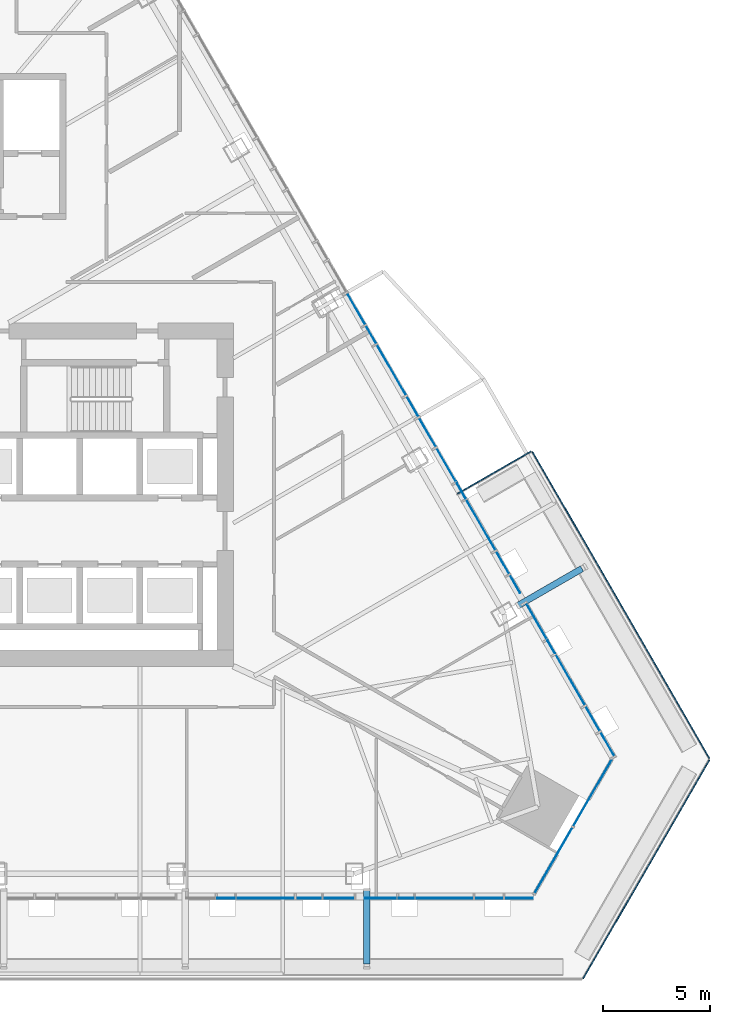
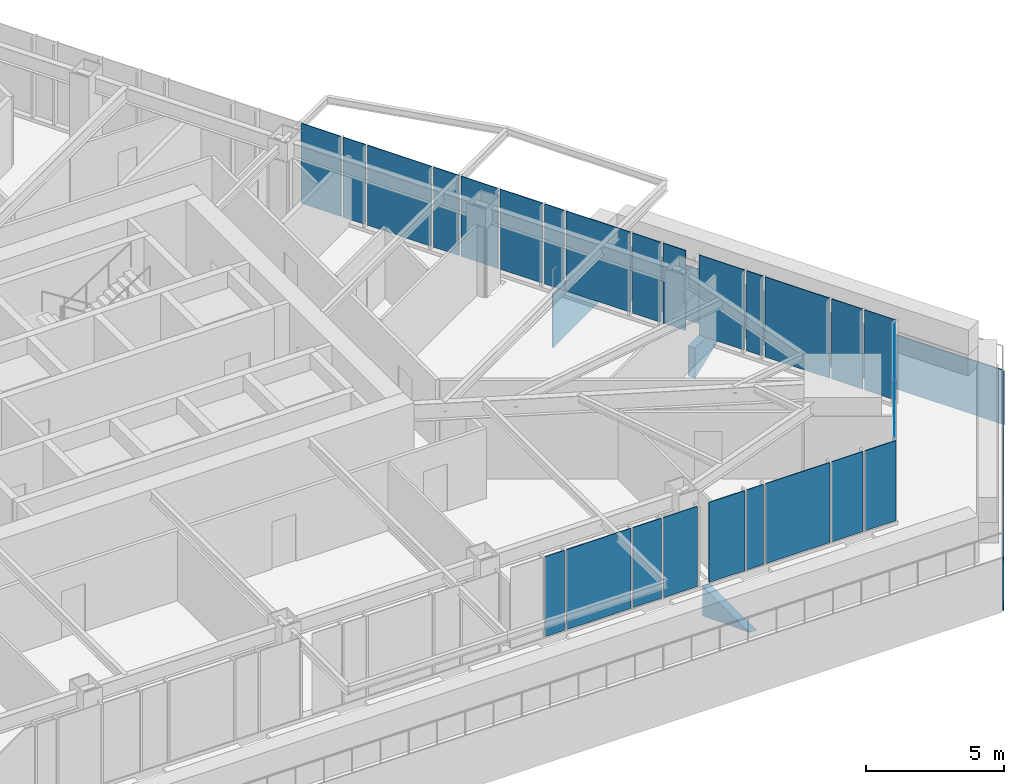
# One storey, part 12 of 21: 31 plates, 3 elements without a shape of their own.
"""IFC4 building model written with IfcOpenShell, lengths in metres."""

from ifc_helpers import new_model, si_unit, direction, frame, origin, place, context, subcontext, project, spatial, polyline, outline, extrude, material, layer, layer_set, type_object, element, aggregate, save


model = new_model("IFC4")

# Units and contexts
model_context = context("Model", 3, precision=1e-05, world=origin(), true_north=direction((0.0, 1.0)))
body_context = subcontext(model_context, "Body", "Model", "MODEL_VIEW")
ifc_project = project(units=[si_unit("LENGTHUNIT", "METRE"), si_unit("AREAUNIT", "SQUARE_METRE"), si_unit("VOLUMEUNIT", "CUBIC_METRE"), si_unit("PLANEANGLEUNIT", "RADIAN"), si_unit("MASSUNIT", "GRAM", prefix="KILO")], contexts=[model_context])

# Site, building, storey
site_placement = place(None, origin())
site = spatial("IfcSite", under=ifc_project, at=site_placement, CompositionType="ELEMENT")
building_placement = place(site_placement, origin())
building = spatial("IfcBuilding", under=site, at=building_placement, Name="Firuza Gate Tower and Library", CompositionType="ELEMENT")
storey_placement = place(building_placement, frame((0.0, 0.0, 222.10009765625)))
storey = spatial("IfcBuildingStorey", under=building, at=storey_placement, Name="L52", CompositionType="ELEMENT", Elevation=222.10009765625)

# Curtain wall, plates
ifc_material_1 = material(Name="Aluminium 6063-T6", Category="aluminium")
ifc_layer_1 = layer(ifc_material_1, 0.14990234375)
ifc_layer_set_1 = layer_set([ifc_layer_1], Name="Corner curtain wall, chamfers")
curtain_wall_type_1 = type_object("IfcCurtainWallType", Name="Corner curtain wall, chamfers", PredefinedType="NOTDEFINED", material=ifc_layer_set_1)
placement = place(storey_placement, origin())
curtain_wall_1 = element("IfcCurtainWall", 1, at=placement, inside=storey, type_object=curtain_wall_type_1, Name="CW4 L52 SE corner", PredefinedType="NOTDEFINED")
ifc_material_2 = material(Name="Fritted glass", Category="glass")
ifc_layer_2 = layer(ifc_material_2, 0.030029296875)
ifc_layer_set_2 = layer_set([ifc_layer_2], Name="Fritted glass unit, corners")
plate_type_1 = type_object("IfcPlateType", Name="Fritted glass unit, corners", PredefinedType="CURTAIN_PANEL", material=ifc_layer_set_2)
plate_1_placement = place(storey_placement, frame((100.029052734375, 56.388671875, 0.14990234375), z_axis=(0.866016723041, -0.500015035186, 0.0), x_axis=(0.500015035186, 0.866016723041, 0.0)))
plate_1 = element("IfcPlate", 2, at=plate_1_placement, type_object=plate_type_1, Name="Glass unit", PredefinedType="CURTAIN_PANEL", context=body_context, shape_type="SweptSolid", body=[
    extrude(outline(polyline([(0.0, 0.0), (3.5633694106530625, 0.0), (3.5633694106530625, 3.550048828125), (0.0, 3.550048828125), (0.0, 0.0)])), origin(), (0.0, 0.0, -1.0), 0.030029296875),
])
plate_2_placement = place(storey_placement, frame((101.850830078125, 59.5439453125, 0.14990234375), z_axis=(0.866046390552, -0.49996364809, 0.0), x_axis=(0.49996364809, 0.866046390552, 0.0)))
plate_2 = element("IfcPlate", 3, at=plate_2_placement, type_object=plate_type_1, Name="Glass unit", PredefinedType="CURTAIN_PANEL", context=body_context, shape_type="SweptSolid", body=[
    extrude(outline(polyline([(0.0, 0.0), (3.563247342942594, 0.0), (3.563247342942594, 3.550048828125), (0.0, 3.550048828125), (0.0, 0.0)])), origin(), (0.0, 0.0, -1.0), 0.030029296875),
])
aggregate(curtain_wall_1, [plate_1, plate_2])

ifc_material_3 = material(Name="Aluminium 6063-T6", Category="aluminium")
ifc_layer_3 = layer(ifc_material_3, 0.14990234375)
ifc_layer_set_3 = layer_set([ifc_layer_3], Name="Unitised curtain wall, hotel")
curtain_wall_type_2 = type_object("IfcCurtainWallType", Name="Unitised curtain wall, hotel", PredefinedType="NOTDEFINED", material=ifc_layer_set_3)
curtain_wall_2 = element("IfcCurtainWall", 4, at=placement, inside=storey, type_object=curtain_wall_type_2, Name="CW2 L52 S face", PredefinedType="NOTDEFINED")
ifc_material_4 = material(Name="Fritted glass", Category="glass")
ifc_layer_4 = layer(ifc_material_4, 0.030029296875)
ifc_layer_set_4 = layer_set([ifc_layer_4], Name="Fritted glass unit, hotel")
plate_type_2 = type_object("IfcPlateType", Name="Fritted glass unit, hotel", PredefinedType="CURTAIN_PANEL", material=ifc_layer_set_4)
plate_3_placement = place(storey_placement, frame((90.19921875, 56.176513671875, 0.14990234375), z_axis=(0.0, -1.0, 0.0), x_axis=(1.0, 0.0, 0.0)))
plate_3 = element("IfcPlate", 5, at=plate_3_placement, type_object=plate_type_2, Name="Glass unit", PredefinedType="CURTAIN_PANEL", context=body_context, shape_type="SweptSolid", body=[
    extrude(outline(polyline([(0.0, 0.0), (1.4248046875, 0.0), (1.4248046875, 3.550048828125), (0.0, 3.550048828125), (0.0, 0.0)])), origin(), (0.0, 0.0, -1.0), 0.030029296875),
])
plate_4_placement = place(storey_placement, frame((92.122314453125, 56.176513671875, 0.14990234375), z_axis=(0.0, -1.0, 0.0), x_axis=(1.0, 0.0, 0.0)))
plate_4 = element("IfcPlate", 6, at=plate_4_placement, type_object=plate_type_2, Name="Glass unit", PredefinedType="CURTAIN_PANEL", context=body_context, shape_type="SweptSolid", body=[
    extrude(outline(polyline([(0.0, 0.0), (1.501220703125, 0.0), (1.501220703125, 3.550048828125), (0.0, 3.550048828125), (0.0, 0.0)])), origin(), (0.0, 0.0, -1.0), 0.030029296875),
])
plate_5_placement = place(storey_placement, frame((98.65478515625, 56.176513671875, 0.14990234375), z_axis=(0.0, -1.0, 0.0), x_axis=(1.0, 0.0, 0.0)))
plate_5 = element("IfcPlate", 7, at=plate_5_placement, type_object=plate_type_2, Name="Glass unit", PredefinedType="CURTAIN_PANEL", context=body_context, shape_type="SweptSolid", body=[
    extrude(outline(polyline([(0.0, 0.0), (1.30126953125, 0.0), (1.30126953125, 3.550048828125), (0.0, 3.550048828125), (0.0, 0.0)])), origin(), (0.0, 0.0, -1.0), 0.030029296875),
])

curtain_wall_3 = element("IfcCurtainWall", 8, at=placement, inside=storey, type_object=curtain_wall_type_2, Name="CW2 L52 E face", PredefinedType="NOTDEFINED")
plate_6_placement = place(storey_placement, frame((103.779541015625, 62.799072265625, 0.14990234375), z_axis=(0.866029371706, 0.499993127296, 0.0), x_axis=(-0.499993127296, 0.866029371706, 0.0)))
plate_6 = element("IfcPlate", 9, at=plate_6_placement, type_object=plate_type_2, Name="Glass unit", PredefinedType="CURTAIN_PANEL", context=body_context, shape_type="SweptSolid", body=[
    extrude(outline(polyline([(0.0, 0.0), (1.3012874179777365, 0.0), (1.3012874179777365, 3.550048828125), (0.0, 3.550048828125), (0.0, 0.0)])), origin(), (0.0, 0.0, -1.0), 0.030029296875),
])
plate_7_placement = place(storey_placement, frame((100.61328125, 68.283447265625, 0.14990234375), z_axis=(0.86600340545, 0.500038100297, 0.0), x_axis=(-0.500038100297, 0.86600340545, 0.0)))
plate_7 = element("IfcPlate", 10, at=plate_7_placement, type_object=plate_type_2, Name="Glass unit", PredefinedType="CURTAIN_PANEL", context=body_context, shape_type="SweptSolid", body=[
    extrude(outline(polyline([(0.0, 0.0), (1.9192873429132231, 0.0), (1.9192873429132231, 3.550048828125), (0.0, 3.550048828125), (0.0, 0.0)])), origin(), (0.0, 0.0, -1.0), 0.030029296875),
])
plate_8_placement = place(storey_placement, frame((99.375732421875, 70.427001953125, 0.14990234375), z_axis=(0.865954211699, 0.50012328804, 0.0), x_axis=(-0.50012328804, 0.865954211699, 0.0)))
plate_8 = element("IfcPlate", 11, at=plate_8_placement, type_object=plate_type_2, Name="Glass unit", PredefinedType="CURTAIN_PANEL", context=body_context, shape_type="SweptSolid", body=[
    extrude(outline(polyline([(0.0, 0.0), (0.9489847530591291, 0.0), (0.9489847530591291, 3.550048828125), (0.0, 3.550048828125), (0.0, 0.0)])), origin(), (0.0, 0.0, -1.0), 0.030029296875),
])
plate_9_placement = place(storey_placement, frame((96.385498046875, 75.606201171875, 0.14990234375), z_axis=(0.866008991624, 0.500028425619, 0.0), x_axis=(-0.500028425619, 0.866008991624, 0.0)))
plate_9 = element("IfcPlate", 12, at=plate_9_placement, type_object=plate_type_2, Name="Glass unit", PredefinedType="CURTAIN_PANEL", context=body_context, shape_type="SweptSolid", body=[
    extrude(outline(polyline([(0.0, 0.0), (1.795796344255184, 0.0), (1.795796344255184, 3.550048828125), (0.0, 3.550048828125), (0.0, 0.0)])), origin(), (0.0, 0.0, -1.0), 0.030029296875),
])
plate_10_placement = place(storey_placement, frame((95.447509765625, 77.230712890625, 0.14990234375), z_axis=(0.866012271747, 0.500022744667, 0.0), x_axis=(-0.500022744667, 0.866012271747, 0.0)))
plate_10 = element("IfcPlate", 13, at=plate_10_placement, type_object=plate_type_2, Name="Glass unit", PredefinedType="CURTAIN_PANEL", context=body_context, shape_type="SweptSolid", body=[
    extrude(outline(polyline([(0.0, 0.0), (1.548269414006665, 0.0), (1.548269414006665, 3.550048828125), (0.0, 3.550048828125), (0.0, 0.0)])), origin(), (0.0, 0.0, -1.0), 0.030029296875),
])
plate_11_placement = place(storey_placement, frame((92.15771484375, 82.928955078125, 0.14990234375), z_axis=(0.865978895617, 0.500080545859, 0.0), x_axis=(-0.500080545859, 0.865978895617, 0.0)))
plate_11 = element("IfcPlate", 14, at=plate_11_placement, type_object=plate_type_2, Name="Glass unit", PredefinedType="CURTAIN_PANEL", context=body_context, shape_type="SweptSolid", body=[
    extrude(outline(polyline([(0.0, 0.0), (1.6720939207688459, 0.0), (1.6720939207688459, 3.550048828125), (0.0, 3.550048828125), (0.0, 0.0)])), origin(), (0.0, 0.0, -1.0), 0.030029296875),
])

# Plate
ifc_material_5 = material(Name="Glazed ceramic tile")
ifc_layer_5 = layer(ifc_material_5, 0.030029296875)
ifc_layer_set_5 = layer_set([ifc_layer_5], Name="Opaque ceramic panel, hotel")
plate_type_3 = type_object("IfcPlateType", Name="Opaque ceramic panel, hotel", PredefinedType="CURTAIN_PANEL", material=ifc_layer_set_5)
plate_12_placement = place(storey_placement, frame((85.247802734375, 56.176513671875, 0.14990234375), z_axis=(0.0, -1.0, 0.0), x_axis=(1.0, 0.0, 0.0)))
plate_12 = element("IfcPlate", 15, at=plate_12_placement, type_object=plate_type_3, Name="Opaque ceramic panel", PredefinedType="CURTAIN_PANEL", context=body_context, shape_type="SweptSolid", body=[
    extrude(outline(polyline([(0.0, 0.0), (0.821533203125, 0.0), (0.821533203125, 3.550048828125), (0.0, 3.550048828125), (0.0, 0.0)])), origin(), (0.0, 0.0, -1.0), 0.030029296875),
])

plate_13_placement = place(storey_placement, frame((86.1494140625, 56.176513671875, 0.14990234375), z_axis=(0.0, -1.0, 0.0), x_axis=(1.0, 0.0, 0.0)))
plate_13 = element("IfcPlate", 16, at=plate_13_placement, type_object=plate_type_3, Name="Opaque ceramic panel", PredefinedType="CURTAIN_PANEL", context=body_context, shape_type="SweptSolid", body=[
    extrude(outline(polyline([(0.0, 0.0), (2.697265625, 0.0), (2.697265625, 3.550048828125), (0.0, 3.550048828125), (0.0, 0.0)])), origin(), (0.0, 0.0, -1.0), 0.030029296875),
])

plate_14_placement = place(storey_placement, frame((88.9267578125, 56.176513671875, 0.14990234375), z_axis=(0.0, -1.0, 0.0), x_axis=(1.0, 0.0, 0.0)))
plate_14 = element("IfcPlate", 17, at=plate_14_placement, type_object=plate_type_3, Name="Opaque ceramic panel", PredefinedType="CURTAIN_PANEL", context=body_context, shape_type="SweptSolid", body=[
    extrude(outline(polyline([(0.0, 0.0), (1.1923828125, 0.0), (1.1923828125, 3.550048828125), (0.0, 3.550048828125), (0.0, 0.0)])), origin(), (0.0, 0.0, -1.0), 0.030029296875),
])

plate_15_placement = place(storey_placement, frame((93.703369140625, 56.176513671875, 0.14990234375), z_axis=(0.0, -1.0, 0.0), x_axis=(1.0, 0.0, 0.0)))
plate_15 = element("IfcPlate", 18, at=plate_15_placement, type_object=plate_type_3, Name="Opaque ceramic panel", PredefinedType="CURTAIN_PANEL", context=body_context, shape_type="SweptSolid", body=[
    extrude(outline(polyline([(0.0, 0.0), (0.697998046875, 0.0), (0.697998046875, 3.550048828125), (0.0, 3.550048828125), (0.0, 0.0)])), origin(), (0.0, 0.0, -1.0), 0.030029296875),
])

plate_16_placement = place(storey_placement, frame((94.4814453125, 56.176513671875, 0.14990234375), z_axis=(0.0, -1.0, 0.0), x_axis=(1.0, 0.0, 0.0)))
plate_16 = element("IfcPlate", 19, at=plate_16_placement, type_object=plate_type_3, Name="Opaque ceramic panel", PredefinedType="CURTAIN_PANEL", context=body_context, shape_type="SweptSolid", body=[
    extrude(outline(polyline([(0.0, 0.0), (2.697265625, 0.0), (2.697265625, 3.550048828125), (0.0, 3.550048828125), (0.0, 0.0)])), origin(), (0.0, 0.0, -1.0), 0.030029296875),
])

plate_17_placement = place(storey_placement, frame((97.2587890625, 56.176513671875, 0.14990234375), z_axis=(0.0, -1.0, 0.0), x_axis=(1.0, 0.0, 0.0)))
plate_17 = element("IfcPlate", 20, at=plate_17_placement, type_object=plate_type_3, Name="Opaque ceramic panel", PredefinedType="CURTAIN_PANEL", context=body_context, shape_type="SweptSolid", body=[
    extrude(outline(polyline([(0.0, 0.0), (1.316162109375, 0.0), (1.316162109375, 3.550048828125), (0.0, 3.550048828125), (0.0, 0.0)])), origin(), (0.0, 0.0, -1.0), 0.030029296875),
])

aggregate(curtain_wall_2, [plate_12, plate_13, plate_14, plate_3, plate_4, plate_15, plate_16, plate_17, plate_5])

plate_18_placement = place(storey_placement, frame((103.089111328125, 63.995361328125, 0.14990234375), z_axis=(0.865950774653, 0.500129239174, 0.0), x_axis=(-0.500129239174, 0.865950774653, 0.0)))
plate_18 = element("IfcPlate", 21, at=plate_18_placement, type_object=plate_type_3, Name="Opaque ceramic panel", PredefinedType="CURTAIN_PANEL", context=body_context, shape_type="SweptSolid", body=[
    extrude(outline(polyline([(0.0, 0.0), (1.3160660754141325, 0.0), (1.3160660754141325, 3.550048828125), (0.0, 3.550048828125), (0.0, 0.0)])), origin(), (0.0, 0.0, -1.0), 0.030029296875),
])

plate_19_placement = place(storey_placement, frame((102.390869140625, 65.204345703125, 0.14990234375), z_axis=(0.866028828302, 0.499994068514, 0.0), x_axis=(-0.499994068514, 0.866028828302, 0.0)))
plate_19 = element("IfcPlate", 22, at=plate_19_placement, type_object=plate_type_3, Name="Opaque ceramic panel", PredefinedType="CURTAIN_PANEL", context=body_context, shape_type="SweptSolid", body=[
    extrude(outline(polyline([(0.0, 0.0), (2.6972976229659773, 0.0), (2.6972976229659773, 3.550048828125001), (0.0, 3.550048828125001), (0.0, 0.0)])), origin(), (0.0, 0.0, -1.0), 0.030029296875),
])

plate_20_placement = place(storey_placement, frame((101.002197265625, 67.609619140625, 0.14990234375), z_axis=(0.86610404518, 0.499863764363, 0.0), x_axis=(-0.499863764363, 0.86610404518, 0.0)))
plate_20 = element("IfcPlate", 23, at=plate_20_placement, type_object=plate_type_3, Name="Opaque ceramic panel", PredefinedType="CURTAIN_PANEL", context=body_context, shape_type="SweptSolid", body=[
    extrude(outline(polyline([(0.0, 0.0), (0.6979440759619058, 0.0), (0.6979440759619058, 3.550048828125), (0.0, 3.550048828125), (0.0, 0.0)])), origin(), (0.0, 0.0, -1.0), 0.030029296875),
])

plate_21_placement = place(storey_placement, frame((98.861083984375, 71.318115234375, 0.14990234375), z_axis=(0.866042392862, 0.4999705729, 0.0), x_axis=(-0.4999705729, 0.866042392862, 0.0)))
plate_21 = element("IfcPlate", 24, at=plate_21_placement, type_object=plate_type_3, Name="Opaque ceramic panel", PredefinedType="CURTAIN_PANEL", context=body_context, shape_type="SweptSolid", body=[
    extrude(outline(polyline([(0.0, 0.0), (1.1924529933661703, 0.0), (1.1924529933661703, 3.550048828125001), (0.0, 3.550048828125001), (0.0, 0.0)])), origin(), (0.0, 0.0, -1.0), 0.030029296875),
])

plate_22_placement = place(storey_placement, frame((98.224853515625, 72.420166015625, 0.14990234375), z_axis=(0.866028828302, 0.499994068514, 0.0), x_axis=(-0.499994068514, 0.866028828302, 0.0)))
plate_22 = element("IfcPlate", 25, at=plate_22_placement, type_object=plate_type_3, Name="Opaque ceramic panel", PredefinedType="CURTAIN_PANEL", context=body_context, shape_type="SweptSolid", body=[
    extrude(outline(polyline([(0.0, 0.0), (2.6972976229659773, 0.0), (2.6972976229659773, 3.550048828125001), (0.0, 3.550048828125001), (0.0, 0.0)])), origin(), (0.0, 0.0, -1.0), 0.030029296875),
])

plate_23_placement = place(storey_placement, frame((96.836181640625, 74.825439453125, 0.14990234375), z_axis=(0.866076708598, 0.499911126926, 0.0), x_axis=(-0.499911126926, 0.866076708598, 0.0)))
plate_23 = element("IfcPlate", 26, at=plate_23_placement, type_object=plate_type_3, Name="Opaque ceramic panel", PredefinedType="CURTAIN_PANEL", context=body_context, shape_type="SweptSolid", body=[
    extrude(outline(polyline([(0.0, 0.0), (0.821435069419796, 0.0), (0.821435069419796, 3.550048828125), (0.0, 3.550048828125), (0.0, 0.0)])), origin(), (0.0, 0.0, -1.0), 0.030029296875),
])

plate_24_placement = place(storey_placement, frame((94.63330078125, 78.640869140625, 0.14990234375), z_axis=(0.866056279496, 0.499946517884, 0.0), x_axis=(-0.499946517884, 0.866056279496, 0.0)))
plate_24 = element("IfcPlate", 27, at=plate_24_placement, type_object=plate_type_3, Name="Opaque ceramic panel", PredefinedType="CURTAIN_PANEL", context=body_context, shape_type="SweptSolid", body=[
    extrude(outline(polyline([(0.0, 0.0), (1.0689619969481339, 0.0), (1.0689619969481339, 3.550048828125), (0.0, 3.550048828125), (0.0, 0.0)])), origin(), (0.0, 0.0, -1.0), 0.030029296875),
])

plate_25_placement = place(storey_placement, frame((94.058837890625, 79.6357421875, 0.14990234375), z_axis=(0.866051453367, 0.499954878085, 0.0), x_axis=(-0.499954878085, 0.866051453367, 0.0)))
plate_25 = element("IfcPlate", 28, at=plate_25_placement, type_object=plate_type_3, Name="Opaque ceramic panel", PredefinedType="CURTAIN_PANEL", context=body_context, shape_type="SweptSolid", body=[
    extrude(outline(polyline([(0.0, 0.0), (2.697509058547344, 0.0), (2.697509058547344, 3.550048828125001), (0.0, 3.550048828125001), (0.0, 0.0)])), origin(), (0.0, 0.0, -1.0), 0.030029296875),
])

plate_26_placement = place(storey_placement, frame((92.670166015625, 82.041015625, 0.14990234375), z_axis=(0.866009237431, 0.5000279999, 0.0), x_axis=(-0.5000279999, 0.866009237431, 0.0)))
plate_26 = element("IfcPlate", 29, at=plate_26_placement, type_object=plate_type_3, Name="Opaque ceramic panel", PredefinedType="CURTAIN_PANEL", context=body_context, shape_type="SweptSolid", body=[
    extrude(outline(polyline([(0.0, 0.0), (0.9452595656525632, 0.0), (0.9452595656525632, 3.550048828125), (0.0, 3.550048828125), (0.0, 0.0)])), origin(), (0.0, 0.0, -1.0), 0.030029296875),
])

aggregate(curtain_wall_3, [plate_6, plate_18, plate_19, plate_20, plate_7, plate_8, plate_21, plate_22, plate_23, plate_9, plate_10, plate_24, plate_25, plate_26, plate_11])

# Plates
ifc_material_6 = material(Name="Steel S355", Category="steel")
ifc_layer_6 = layer(ifc_material_6, 0.300048828125)
ifc_layer_set_6 = layer_set([ifc_layer_6], Name="Tray bracket web 300 Steel S355")
plate_type_4 = type_object("IfcPlateType", Name="Tray bracket web 300 Steel S355", PredefinedType="SHEET", material=ifc_layer_set_6)
plate_27_placement = place(storey_placement, frame((92.361083984375, 56.56201171875, -0.2001953125), z_axis=(1.0, 0.0, 0.0), x_axis=(0.0, -1.0, 0.0)))
element("IfcPlate", 30, at=plate_27_placement, inside=storey, type_object=plate_type_4, Name="Tray bracket web L52 col:L51:S5", PredefinedType="SHEET", context=body_context, shape_type="SweptSolid", body=[
    extrude(outline(polyline([(0.0, 0.0), (3.428955078125, 0.0), (0.0, 1.333984375), (0.0, 0.0)])), origin(), (0.0, 0.0, -1.0), 0.300048828125),
])
plate_28_placement = place(storey_placement, frame((99.197998046875, 69.962890625, -0.2001953125), z_axis=(-0.500081895979, 0.865978115955, 0.0), x_axis=(0.865978115955, 0.500081895979, 0.0)))
element("IfcPlate", 31, at=plate_28_placement, inside=storey, type_object=plate_type_4, Name="Tray bracket web L52 col:L51:E1", PredefinedType="SHEET", context=body_context, shape_type="SweptSolid", body=[
    extrude(outline(polyline([(0.0, 0.0), (3.429614038049955, 0.0), (0.0, 1.333984375), (0.0, 0.0)])), origin(), (0.0, 0.0, -1.0), 0.300048828125),
])
ifc_material_7 = material(Name="Aluminium 6063-T6", Category="aluminium")
ifc_layer_7 = layer(ifc_material_7, 0.050048828125)
ifc_layer_set_7 = layer_set([ifc_layer_7], Name="Tray fascia panel 50")
plate_type_5 = type_object("IfcPlateType", Name="Tray fascia panel 50", PredefinedType="SHEET", material=ifc_layer_set_7)
plate_29_placement = place(storey_placement, frame((102.320068359375, 52.43798828125, -2.400146484375), z_axis=(0.866000946426, -0.500042358996, 0.0), x_axis=(0.500042358996, 0.866000946426, 0.0)))
element("IfcPlate", 32, at=plate_29_placement, inside=storey, type_object=plate_type_5, Name="Tray fascia L52 3", PredefinedType="SHEET", context=body_context, shape_type="SweptSolid", body=[
    extrude(outline(polyline([(0.0, 0.0), (11.758769445669861, 0.0), (11.758769445669861, 2.400146484375), (0.0, 2.400146484375), (0.0, 0.0)])), origin(), (0.0, 0.0, -1.0), 0.050048828125),
])
plate_30_placement = place(storey_placement, frame((108.199951171875, 62.722900390625, -2.400146484375), z_axis=(0.866035388705, 0.499982705212, 0.0), x_axis=(-0.499982705212, 0.866035388705, 0.0)))
element("IfcPlate", 33, at=plate_30_placement, inside=storey, type_object=plate_type_5, Name="Tray fascia L52 4", PredefinedType="SHEET", context=body_context, shape_type="SweptSolid", body=[
    extrude(outline(polyline([(0.0, 0.0), (16.484456909120823, 0.0), (16.484456909120823, 2.4001464843749996), (0.0, 2.4001464843749996), (0.0, 0.0)])), origin(), (0.0, 0.0, -1.0), 0.050048828125),
])
plate_31_placement = place(storey_placement, frame((99.847900390625, 77.028076171875, -2.400146484375), z_axis=(-0.500024631762, 0.866011182163, 0.0), x_axis=(-0.866011182163, -0.500024631762, 0.0)))
element("IfcPlate", 34, at=plate_31_placement, inside=storey, type_object=plate_type_5, Name="Tray fascia L52 5", PredefinedType="SHEET", context=body_context, shape_type="SweptSolid", body=[
    extrude(outline(polyline([(0.0, 0.0), (3.939747320413783, 0.0), (3.939747320413783, 2.400146484375), (0.0, 2.400146484375), (0.0, 0.0)])), origin(), (0.0, 0.0, -1.0), 0.050048828125),
])

save(model, "model.ifc")
